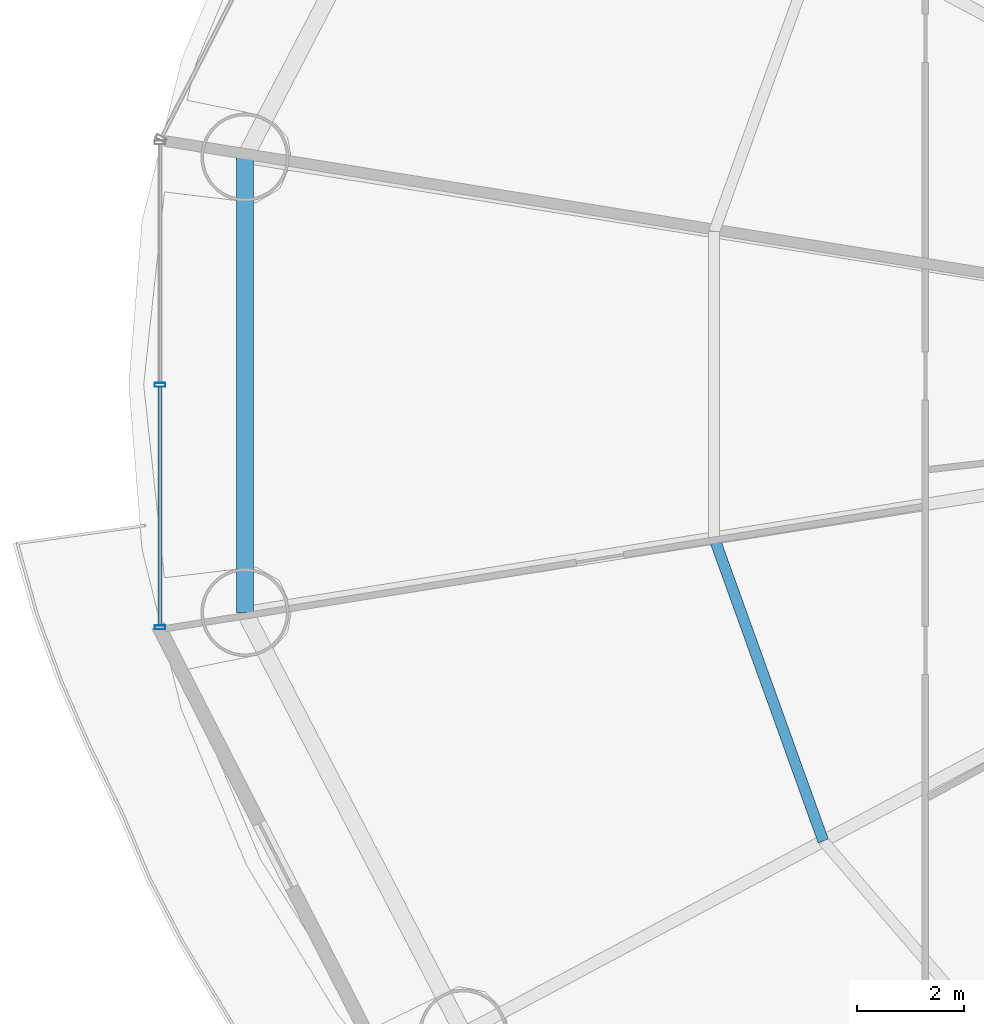
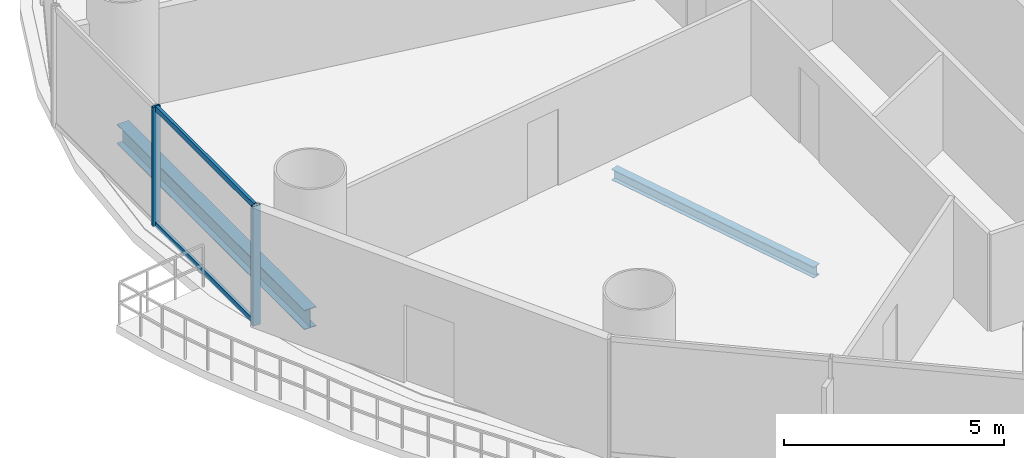
# One storey, part 6 of 30: 4 members, 2 beams, 1 element without a shape of its own.
"""IFC4 building model written with IfcOpenShell, lengths in metres."""

from ifc_helpers import new_model, si_unit, direction, frame, origin, origin_2d, place, context, subcontext, project, spatial, hollow_rectangle, i_section, extrude, source, transform, mapped, material, material_profile, profile_set, type_object, element, aggregate, save


model = new_model("IFC4")

# Units and contexts
model_context = context("Model", 3, precision=1e-05, world=origin(), true_north=direction((-0.2419218956, 0.970295726276)))
body_context = subcontext(model_context, "Body", "Model", "MODEL_VIEW")
ifc_project = project(units=[si_unit("LENGTHUNIT", "METRE"), si_unit("AREAUNIT", "SQUARE_METRE"), si_unit("VOLUMEUNIT", "CUBIC_METRE"), si_unit("PLANEANGLEUNIT", "RADIAN"), si_unit("MASSUNIT", "GRAM", prefix="KILO")], contexts=[model_context])

# Site, building, storey
site_placement = place(None, origin())
site = spatial("IfcSite", under=ifc_project, at=site_placement, CompositionType="ELEMENT")
building_placement = place(site_placement, origin())
building = spatial("IfcBuilding", under=site, at=building_placement, Name="Cobrevalo Terracotta Tower", CompositionType="ELEMENT")
storey_placement = place(building_placement, frame((0.0, 0.0, 31.199951171875)))
storey = spatial("IfcBuildingStorey", under=building, at=storey_placement, Name="L07", CompositionType="ELEMENT", Elevation=31.199951171875)

# Beams
ifc_material_1 = material(Name="Steel S355", Category="steel")
ifc_material_profile_1 = material_profile(ifc_material_1, i_section(OverallWidth=0.2041015625, OverallDepth=0.305908203125, WebThickness=0.008544921875, FlangeThickness=0.0146484375, at=origin_2d()), Name="W 310x67")
ifc_profile_set_1 = profile_set([ifc_material_profile_1], Name="Steel S355")
beam_type_1 = type_object("IfcBeamType", Name="Structural Joist W 310x67 (Steel S355)", PredefinedType="JOIST", material=ifc_profile_set_1)
beam_1_placement = place(storey_placement, frame((19.960205078125, 23.933349609375, -0.432861328125), z_axis=(0.338672151116, -0.940904444701, 0.0), x_axis=(0.940904444701, 0.338672151116, 0.0)))
element("IfcBeam", 1, at=beam_1_placement, inside=storey, type_object=beam_type_1, Name="L07 circumferential secondary floor joist 09", PredefinedType="JOIST", context=body_context, shape_type="SweptSolid", body=[
    extrude(i_section(OverallWidth=0.2041015625, OverallDepth=0.305908203125, WebThickness=0.008544921875, FlangeThickness=0.0146484375, at=origin_2d()), origin(), (0.0, 0.0, 1.0), 6.029296875),
])
ifc_material_profile_2 = material_profile(ifc_material_1, i_section(OverallWidth=0.31201171875, OverallDepth=0.54296875, WebThickness=0.0126953125, FlangeThickness=0.020263671875, at=origin_2d()), Name="W 530x150")
ifc_profile_set_2 = profile_set([ifc_material_profile_2], Name="Steel S355")
beam_type_2 = type_object("IfcBeamType", Name="Structural Spandrel W 530x150 (Steel S355)", PredefinedType="SPANDREL", material=ifc_profile_set_2)
beam_2_placement = place(storey_placement, frame((11.175537109375, 31.062744140625, -0.551513671875), z_axis=(0.0, -1.0, 0.0), x_axis=(1.0, 0.0, 0.0)))
element("IfcBeam", 2, at=beam_2_placement, inside=storey, type_object=beam_type_2, Name="L07 perimeter ring spandrel 08", PredefinedType="SPANDREL", context=body_context, shape_type="SweptSolid", body=[
    extrude(i_section(OverallWidth=0.31201171875, OverallDepth=0.54296875, WebThickness=0.0126953125, FlangeThickness=0.020263671875, at=origin_2d()), origin(), (0.0, 0.0, 1.0), 8.525390625),
])

# Curtain wall, members
ifc_material_2 = material(Name="Anodized aluminium", Category="aluminium")
curtain_wall_type = type_object("IfcCurtainWallType", Name="Lower-tower unitised acoustic low-E curtain wall CW-U1", PredefinedType="NOTDEFINED", material=ifc_material_2)
curtain_wall_placement = place(storey_placement, origin())
curtain_wall = element("IfcCurtainWall", 3, at=curtain_wall_placement, inside=storey, type_object=curtain_wall_type, Name="L07 curtain wall CW-L07-S08", PredefinedType="NOTDEFINED")
ifc_material_profile_3 = material_profile(ifc_material_2, hollow_rectangle(XDim=0.074951171875, YDim=0.199951171875, WallThickness=0.0048828125, at=origin_2d()), Name="CWM 75x200")
ifc_profile_set_3 = profile_set([ifc_material_profile_3], Name="Anodized aluminium")
member_type_1 = type_object("IfcMemberType", Name="Lower/mid tower unitised mullion 75x200", PredefinedType="MULLION", material=ifc_profile_set_3)
shared_shape_1 = source(origin(), body_context, "Body", "SweptSolid", [
    extrude(hollow_rectangle(XDim=0.074951171875, YDim=0.199951171875, WallThickness=0.0048828125, at=origin_2d()), origin(), (0.0, 0.0, 1.0), 3.320068359375),
])
member_1_placement = place(storey_placement, frame((9.586669921875, 26.800048828125, 0.0), z_axis=(0.0, 0.0, 1.0), x_axis=(0.0, -1.0, 0.0)))
member_1 = element("IfcMember", 4, at=member_1_placement, type_object=member_type_1, Name="CW-L07-S08 vertical mullion 02", PredefinedType="MULLION", context=body_context, shape_type="MappedRepresentation", body=[
    mapped(shared_shape_1, transform((0.0, 0.0, 0.0), scale=1.0)),
])
member_2_placement = place(storey_placement, frame((9.586669921875, 22.26123046875, 0.0), z_axis=(0.0, 0.0, 1.0), x_axis=(0.0, -1.0, 0.0)))
member_2 = element("IfcMember", 5, at=member_2_placement, type_object=member_type_1, Name="CW-L07-S08 vertical mullion 03", PredefinedType="MULLION", context=body_context, shape_type="MappedRepresentation", body=[
    mapped(shared_shape_1, transform((0.0, 0.0, 0.0), scale=1.0)),
])
ifc_material_profile_4 = material_profile(ifc_material_2, hollow_rectangle(XDim=0.074951171875, YDim=0.14990234375, WallThickness=0.00439453125, at=origin_2d()), Name="CWT 75x150")
ifc_profile_set_4 = profile_set([ifc_material_profile_4], Name="Anodized aluminium")
member_type_2 = type_object("IfcMemberType", Name="Tower unitised aluminium transom 75x150", PredefinedType="USERDEFINED", material=ifc_profile_set_4)
shared_shape_2 = source(origin(), body_context, "Body", "SweptSolid", [
    extrude(hollow_rectangle(XDim=0.074951171875, YDim=0.14990234375, WallThickness=0.00439453125, at=origin_2d()), origin(), (0.0, 0.0, 1.0), 4.458740234375),
])
member_3_placement = place(storey_placement, frame((9.586669921875, 26.760009765625, 0.050048828125), z_axis=(0.0, -1.0, 0.0), x_axis=(1.0, 0.0, 0.0)))
member_3 = element("IfcMember", 6, at=member_3_placement, type_object=member_type_2, Name="CW-L07-S08 transom B02-T1", ObjectType="TRANSOM", PredefinedType="USERDEFINED", context=body_context, shape_type="MappedRepresentation", body=[
    mapped(shared_shape_2, transform((0.0, 0.0, 0.0), scale=1.0)),
])
member_4_placement = place(storey_placement, frame((9.586669921875, 26.760009765625, 3.27001953125), z_axis=(0.0, -1.0, 0.0), x_axis=(1.0, 0.0, 0.0)))
member_4 = element("IfcMember", 7, at=member_4_placement, type_object=member_type_2, Name="CW-L07-S08 transom B02-T2", ObjectType="TRANSOM", PredefinedType="USERDEFINED", context=body_context, shape_type="MappedRepresentation", body=[
    mapped(shared_shape_2, transform((0.0, 0.0, 0.0), scale=1.0)),
])
aggregate(curtain_wall, [member_1, member_2, member_3, member_4])

save(model, "model.ifc")
